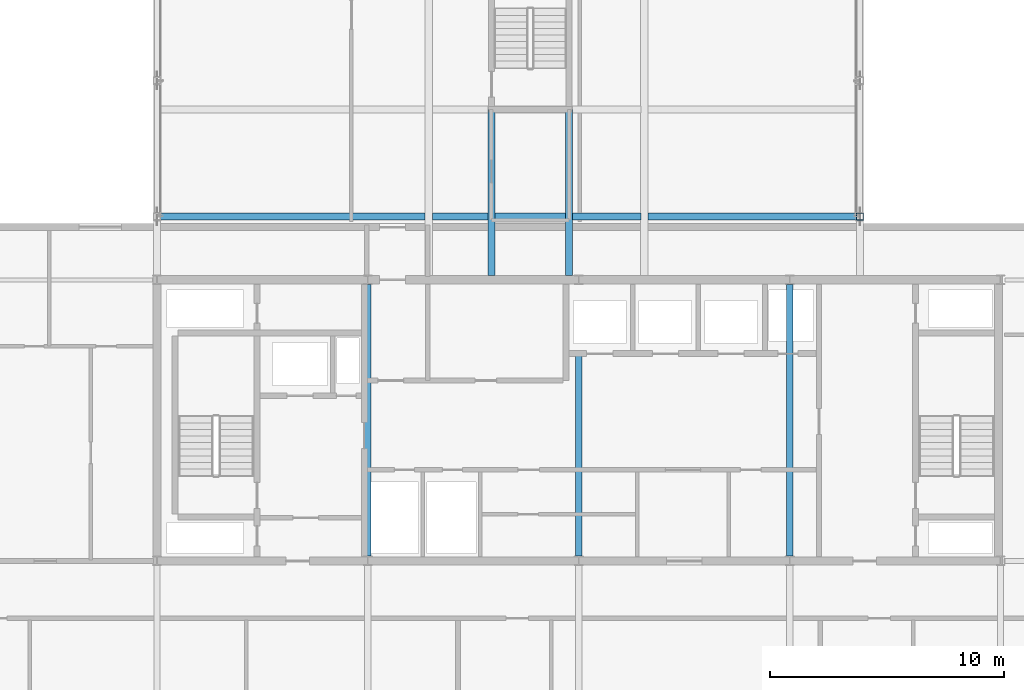
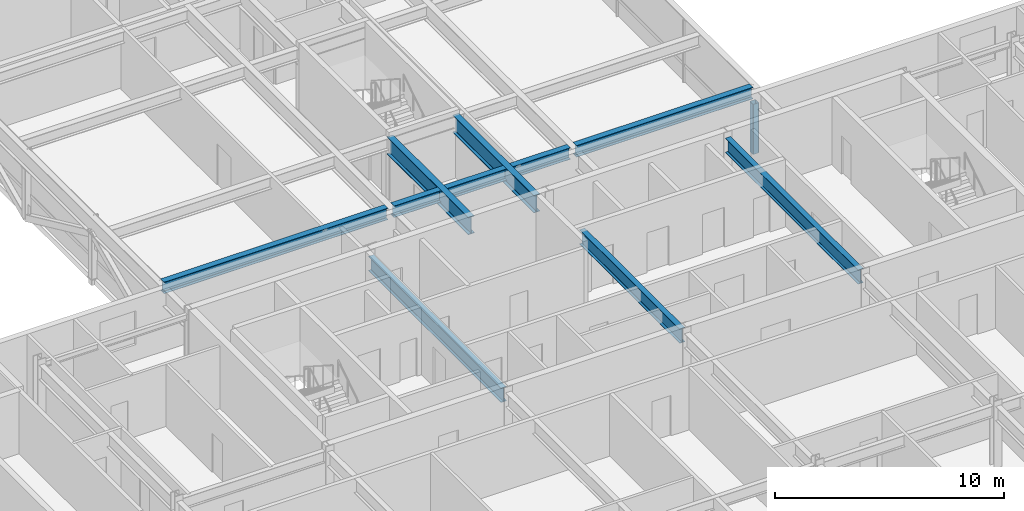
# One storey, part 7 of 36: 10 beams, 1 member.
"""IFC4 building model written with IfcOpenShell, lengths in metres."""

from ifc_helpers import new_model, si_unit, direction, frame, origin, origin_2d, place, context, subcontext, project, spatial, hollow_rectangle, i_section, extrude, material, material_profile, profile_set, type_object, element, save


model = new_model("IFC4")

# Units and contexts
model_context = context("Model", 3, precision=1e-05, world=origin(), true_north=direction((0.0, 1.0)))
body_context = subcontext(model_context, "Body", "Model", "MODEL_VIEW")
ifc_project = project(units=[si_unit("LENGTHUNIT", "METRE"), si_unit("AREAUNIT", "SQUARE_METRE"), si_unit("VOLUMEUNIT", "CUBIC_METRE"), si_unit("PLANEANGLEUNIT", "RADIAN"), si_unit("MASSUNIT", "GRAM", prefix="KILO")], contexts=[model_context])

# Site, building, storey
site_placement = place(None, origin())
site = spatial("IfcSite", under=ifc_project, at=site_placement, CompositionType="ELEMENT")
building_placement = place(site_placement, origin())
building = spatial("IfcBuilding", under=site, at=building_placement, Name="Korimba Cascade Residences", CompositionType="ELEMENT")
storey_placement = place(building_placement, frame((0.0, 0.0, 139.300048828125)))
storey = spatial("IfcBuildingStorey", under=building, at=storey_placement, Name="L40", CompositionType="ELEMENT", Elevation=139.300048828125)

# Beams
ifc_material_1 = material(Name="Steel S355", Category="steel")
ifc_material_profile_1 = material_profile(ifc_material_1, i_section(OverallWidth=0.30712890625, OverallDepth=0.6201171875, WebThickness=0.01416015625, FlangeThickness=0.023681640625, FilletRadius=0.0166015625, at=origin_2d()), Name="Steel S355")
ifc_profile_set_1 = profile_set([ifc_material_profile_1], Name="Steel S355")
beam_type_1 = type_object("IfcBeamType", Name="BM-STL-UB610A", PredefinedType="BEAM", material=ifc_profile_set_1)
beam_1_placement = place(storey_placement, frame((82.251953125, 33.10009765625, 2.999755859375), z_axis=(1.0, 0.0, 0.0), x_axis=(0.0, 1.0, 0.0)))
element("IfcBeam", 1, at=beam_1_placement, inside=storey, type_object=beam_type_1, Name="L40 Mid-Bridge Cross Beam 33.1", PredefinedType="BEAM", context=body_context, shape_type="SweptSolid", body=[
    extrude(i_section(OverallWidth=0.30712890625, OverallDepth=0.6201171875, WebThickness=0.01416015625, FlangeThickness=0.023681640625, FilletRadius=0.0166015625, at=origin_2d()), origin(), (0.0, 0.0, 1.0), 11.296142578125),
])
beam_2_placement = place(storey_placement, frame((93.85205078125, 33.10009765625, 2.999755859375), z_axis=(1.0, 0.0, 0.0), x_axis=(0.0, 1.0, 0.0)))
element("IfcBeam", 2, at=beam_2_placement, inside=storey, type_object=beam_type_1, Name="L40 Mid-Bridge Cross Beam 33.2", PredefinedType="BEAM", context=body_context, shape_type="SweptSolid", body=[
    extrude(i_section(OverallWidth=0.30712890625, OverallDepth=0.6201171875, WebThickness=0.01416015625, FlangeThickness=0.023681640625, FilletRadius=0.0166015625, at=origin_2d()), origin(), (0.0, 0.0, 1.0), 2.370849609375),
])
beam_3_placement = place(storey_placement, frame((96.527099609375, 33.10009765625, 2.999755859375), z_axis=(1.0, 0.0, 0.0), x_axis=(0.0, 1.0, 0.0)))
element("IfcBeam", 3, at=beam_3_placement, inside=storey, type_object=beam_type_1, Name="L40 Mid-Bridge Cross Beam 33.3", PredefinedType="BEAM", context=body_context, shape_type="SweptSolid", body=[
    extrude(i_section(OverallWidth=0.30712890625, OverallDepth=0.6201171875, WebThickness=0.01416015625, FlangeThickness=0.023681640625, FilletRadius=0.0166015625, at=origin_2d()), origin(), (0.0, 0.0, 1.0), 3.005859375),
])
beam_4_placement = place(storey_placement, frame((99.8369140625, 33.10009765625, 2.999755859375), z_axis=(1.0, 0.0, 0.0), x_axis=(0.0, 1.0, 0.0)))
element("IfcBeam", 4, at=beam_4_placement, inside=storey, type_object=beam_type_1, Name="L40 Mid-Bridge Cross Beam 33.4", PredefinedType="BEAM", context=body_context, shape_type="SweptSolid", body=[
    extrude(i_section(OverallWidth=0.30712890625, OverallDepth=0.6201171875, WebThickness=0.01416015625, FlangeThickness=0.023681640625, FilletRadius=0.0166015625, at=origin_2d()), origin(), (0.0, 0.0, 1.0), 2.9111328125),
])
beam_5_placement = place(storey_placement, frame((103.052001953125, 33.10009765625, 2.999755859375), z_axis=(1.0, 0.0, 0.0), x_axis=(0.0, 1.0, 0.0)))
element("IfcBeam", 5, at=beam_5_placement, inside=storey, type_object=beam_type_1, Name="L40 Mid-Bridge Cross Beam 33.5", PredefinedType="BEAM", context=body_context, shape_type="SweptSolid", body=[
    extrude(i_section(OverallWidth=0.30712890625, OverallDepth=0.6201171875, WebThickness=0.01416015625, FlangeThickness=0.023681640625, FilletRadius=0.0166015625, at=origin_2d()), origin(), (0.0, 0.0, 1.0), 8.89599609375),
])
ifc_material_profile_2 = material_profile(ifc_material_1, i_section(OverallWidth=0.26806640625, OverallDepth=0.769775390625, WebThickness=0.015625, FlangeThickness=0.025390625, FilletRadius=0.0166015625, at=origin_2d()), Name="Steel S355")
ifc_profile_set_2 = profile_set([ifc_material_profile_2], Name="Steel S355")
beam_type_2 = type_object("IfcBeamType", Name="BM-STL-UB762", PredefinedType="BEAM", material=ifc_profile_set_2)
beam_6_placement = place(storey_placement, frame((91.10009765625, 18.603271484375, 2.925048828125), z_axis=(0.0, 1.0, 0.0), x_axis=(-1.0, 0.0, 0.0)))
element("IfcBeam", 6, at=beam_6_placement, inside=storey, type_object=beam_type_2, Name="L40 T2 N-S Girder X3 Seg 3", PredefinedType="BEAM", context=body_context, shape_type="SweptSolid", body=[
    extrude(i_section(OverallWidth=0.26806640625, OverallDepth=0.769775390625, WebThickness=0.015625, FlangeThickness=0.025390625, FilletRadius=0.0166015625, at=origin_2d()), origin(), (0.0, 0.0, 1.0), 11.593505859375),
])
beam_7_placement = place(storey_placement, frame((100.10009765625, 18.603271484375, 2.925048828125), z_axis=(0.0, 1.0, 0.0), x_axis=(-1.0, 0.0, 0.0)))
element("IfcBeam", 7, at=beam_7_placement, inside=storey, type_object=beam_type_2, Name="L40 T2 N-S Girder X4 Seg 3", PredefinedType="BEAM", context=body_context, shape_type="SweptSolid", body=[
    extrude(i_section(OverallWidth=0.26806640625, OverallDepth=0.769775390625, WebThickness=0.015625, FlangeThickness=0.025390625, FilletRadius=0.0166015625, at=origin_2d()), origin(), (0.0, 0.0, 1.0), 8.73681640625),
])
beam_8_placement = place(storey_placement, frame((109.10009765625, 18.603271484375, 2.925048828125), z_axis=(0.0, 1.0, 0.0), x_axis=(-1.0, 0.0, 0.0)))
element("IfcBeam", 8, at=beam_8_placement, inside=storey, type_object=beam_type_2, Name="L40 T2 N-S Girder X5 Seg 3", PredefinedType="BEAM", context=body_context, shape_type="SweptSolid", body=[
    extrude(i_section(OverallWidth=0.26806640625, OverallDepth=0.769775390625, WebThickness=0.015625, FlangeThickness=0.025390625, FilletRadius=0.0166015625, at=origin_2d()), origin(), (0.0, 0.0, 1.0), 11.593505859375),
])
ifc_material_2 = material(Name="Steel S460", Category="steel")
ifc_material_profile_3 = material_profile(ifc_material_2, i_section(OverallWidth=0.3076171875, OverallDepth=0.926513671875, WebThickness=0.01953125, FlangeThickness=0.031982421875, FilletRadius=0.01904296875, at=origin_2d()), Name="Steel S460")
ifc_profile_set_3 = profile_set([ifc_material_profile_3], Name="Steel S460")
beam_type_3 = type_object("IfcBeamType", Name="BM-STL-UB914B", PredefinedType="BEAM", material=ifc_profile_set_3)
for number, where, z_axis, x_axis, name in (
    (9, (96.375, 30.574951171875, 2.8466796875), (0.0, 1.0, 0.0), (-1.0, 0.0, 0.0), "L40 Rigid Mid-Bridge Truss Chord 3"),
    (10, (99.68505859375, 30.574951171875, 2.8466796875), (0.0, 1.0, 0.0), (-1.0, 0.0, 0.0), "L40 Rigid Mid-Bridge Truss Chord 4"),
):
    element("IfcBeam", number, at=place(storey_placement, frame(where, z_axis=z_axis, x_axis=x_axis)), inside=storey, type_object=beam_type_3, Name=name, PredefinedType="BEAM", context=body_context, shape_type="SweptSolid", body=[
        extrude(i_section(OverallWidth=0.3076171875, OverallDepth=0.926513671875, WebThickness=0.01953125, FlangeThickness=0.031982421875, FilletRadius=0.01904296875, at=origin_2d()), origin(), (0.0, 0.0, 1.0), 7.10009765625),
    ])

# Member
ifc_material_profile_4 = material_profile(ifc_material_2, hollow_rectangle(XDim=0.300048828125, YDim=0.300048828125, WallThickness=0.012451171875, InnerFilletRadius=0.012451171875, OuterFilletRadius=0.02490234375, at=origin_2d()), Name="Steel S460")
ifc_profile_set_4 = profile_set([ifc_material_profile_4], Name="Steel S460")
member_type = type_object("IfcMemberType", Name="MEM-BRG-STR300", PredefinedType="STRUT", material=ifc_profile_set_4)
member_placement = place(storey_placement, frame((112.10009765625, 33.10009765625, -0.2900390625), z_axis=(0.0, 0.0, 1.0), x_axis=(1.0, 0.0, 0.0)))
element("IfcMember", 11, at=member_placement, inside=storey, type_object=member_type, Name="L40 Mid-Bridge Warren Web Post E1", PredefinedType="STRUT", context=body_context, shape_type="SweptSolid", body=[
    extrude(hollow_rectangle(XDim=0.300048828125, YDim=0.300048828125, WallThickness=0.012451171875, InnerFilletRadius=0.012451171875, OuterFilletRadius=0.02490234375, at=origin_2d()), origin(), (0.0, 0.0, 1.0), 2.67333984375),
])

save(model, "model.ifc")
